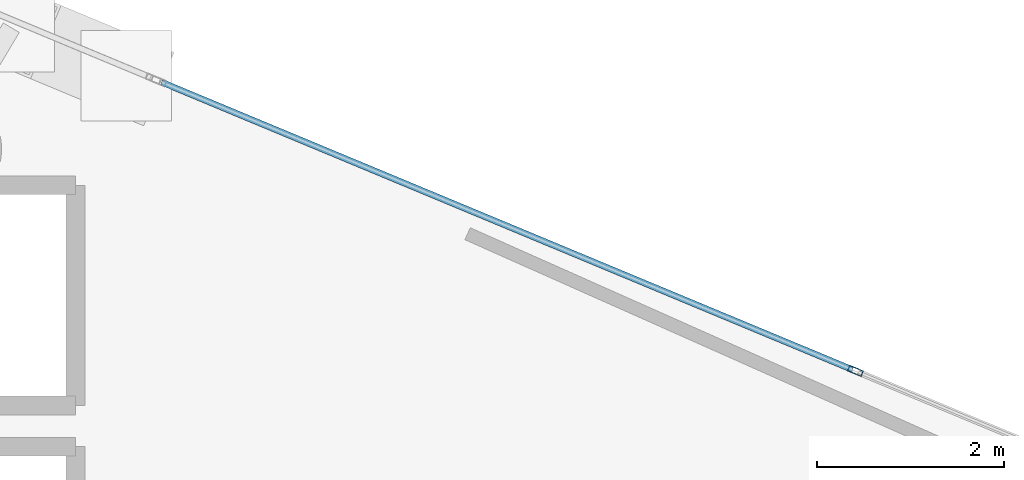
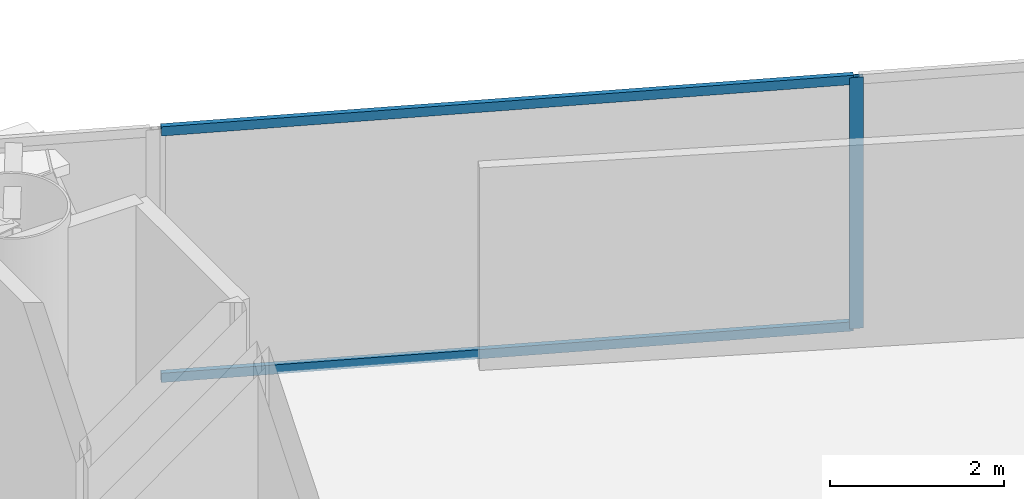
# One storey, part 14 of 22: 3 members, 1 element without a shape of its own.
"""IFC4 building model written with IfcOpenShell, lengths in metres."""

from ifc_helpers import new_model, si_unit, direction, frame, origin, origin_2d, place, context, subcontext, project, spatial, hollow_rectangle, extrude, material, layer, layer_set, material_profile, profile_set, type_object, element, aggregate, save


model = new_model("IFC4")

# Units and contexts
model_context = context("Model", 3, precision=1e-05, world=origin(), true_north=direction((0.0, 1.0)))
body_context = subcontext(model_context, "Body", "Model", "MODEL_VIEW")
ifc_project = project(units=[si_unit("LENGTHUNIT", "METRE"), si_unit("AREAUNIT", "SQUARE_METRE"), si_unit("VOLUMEUNIT", "CUBIC_METRE"), si_unit("PLANEANGLEUNIT", "RADIAN"), si_unit("MASSUNIT", "GRAM", prefix="KILO")], contexts=[model_context])

# Site, building, storey
site_placement = place(None, origin())
site = spatial("IfcSite", under=ifc_project, at=site_placement, CompositionType="ELEMENT")
building_placement = place(site_placement, origin())
building = spatial("IfcBuilding", under=site, at=building_placement, Name="Qianvela Tower", CompositionType="ELEMENT")
storey_placement = place(building_placement, frame((0.0, 0.0, 158.699951171875)))
storey = spatial("IfcBuildingStorey", under=building, at=storey_placement, Name="L40", CompositionType="ELEMENT", Elevation=158.699951171875)

# Curtain wall, members
ifc_material_1 = material(Name="Anodised Architectural Aluminium and Low-E Glass", Category="aluminium")
ifc_layer = layer(ifc_material_1, 0.169921875)
ifc_layer_set = layer_set([ifc_layer], Name="Anodised Architectural Aluminium and Low-E Glass")
curtain_wall_type = type_object("IfcCurtainWallType", Name="CW-COLIV-Z34", PredefinedType="USERDEFINED", material=ifc_layer_set)
curtain_wall_placement = place(storey_placement, origin())
curtain_wall = element("IfcCurtainWall", 1, at=curtain_wall_placement, inside=storey, type_object=curtain_wall_type, Name="L40 CW-COLIV-Z34 Curtain Wall 02A", ObjectType="CURTAIN_WALL_SYSTEM", PredefinedType="USERDEFINED")
ifc_material_2 = material(Name="Anodised Architectural Aluminium 6063-T6", Category="aluminium")
ifc_material_profile_1 = material_profile(ifc_material_2, hollow_rectangle(XDim=0.06494140625, YDim=0.159912109375, WallThickness=0.0048828125, at=origin_2d()), Name="ALU-MULL-65x160")
ifc_profile_set_1 = profile_set([ifc_material_profile_1], Name="Anodised Architectural Aluminium 6063-T6")
member_type_1 = type_object("IfcMemberType", Name="CW-COLIV-Z34-MULL", PredefinedType="MULLION", material=ifc_profile_set_1)
member_1_placement = place(storey_placement, frame((51.90625, 33.291748046875, 0.0), z_axis=(0.0, 0.0, 1.0), x_axis=(-0.384184843417, -0.923256197428, 0.0)))
member_1 = element("IfcMember", 2, at=member_1_placement, type_object=member_type_1, Name="CW-4 mullion 2", PredefinedType="MULLION", context=body_context, shape_type="SweptSolid", body=[
    extrude(hollow_rectangle(XDim=0.06494140625, YDim=0.159912109375, WallThickness=0.0048828125, at=origin_2d()), origin(), (0.0, 0.0, 1.0), 3.52001953125),
])
ifc_material_3 = material(Name="Anodised Architectural Aluminium 6063-T6", Category="aluminium")
ifc_material_profile_2 = material_profile(ifc_material_3, hollow_rectangle(XDim=0.06494140625, YDim=0.1298828125, WallThickness=0.00439453125, at=origin_2d()), Name="ALU-TRAN-65x130")
ifc_profile_set_2 = profile_set([ifc_material_profile_2], Name="Anodised Architectural Aluminium 6063-T6")
member_type_2 = type_object("IfcMemberType", Name="CW-COLIV-Z34-TRAN", PredefinedType="USERDEFINED", material=ifc_profile_set_2)
member_2_placement = place(storey_placement, frame((51.876220703125, 33.304443359375, 0.032470703125), z_axis=(-0.923259708039, 0.384176406762, 0.0), x_axis=(-0.384176406762, -0.923259708039, 0.0)))
member_2 = element("IfcMember", 3, at=member_2_placement, type_object=member_type_2, Name="CW-4 transom 2.1", ObjectType="TRANSOM", PredefinedType="USERDEFINED", context=body_context, shape_type="SweptSolid", body=[
    extrude(hollow_rectangle(XDim=0.06494140625, YDim=0.1298828125, WallThickness=0.00439453125, at=origin_2d()), origin(), (0.0, 0.0, 1.0), 8.017333984375),
])
member_3_placement = place(storey_placement, frame((51.876220703125, 33.304443359375, 3.487548828125), z_axis=(-0.923259708039, 0.384176406762, 0.0), x_axis=(-0.384176406762, -0.923259708039, 0.0)))
member_3 = element("IfcMember", 4, at=member_3_placement, type_object=member_type_2, Name="CW-4 transom 2.2", ObjectType="TRANSOM", PredefinedType="USERDEFINED", context=body_context, shape_type="SweptSolid", body=[
    extrude(hollow_rectangle(XDim=0.06494140625, YDim=0.1298828125, WallThickness=0.00439453125, at=origin_2d()), origin(), (0.0, 0.0, 1.0), 8.017333984375),
])
aggregate(curtain_wall, [member_1, member_2, member_3])

save(model, "model.ifc")
